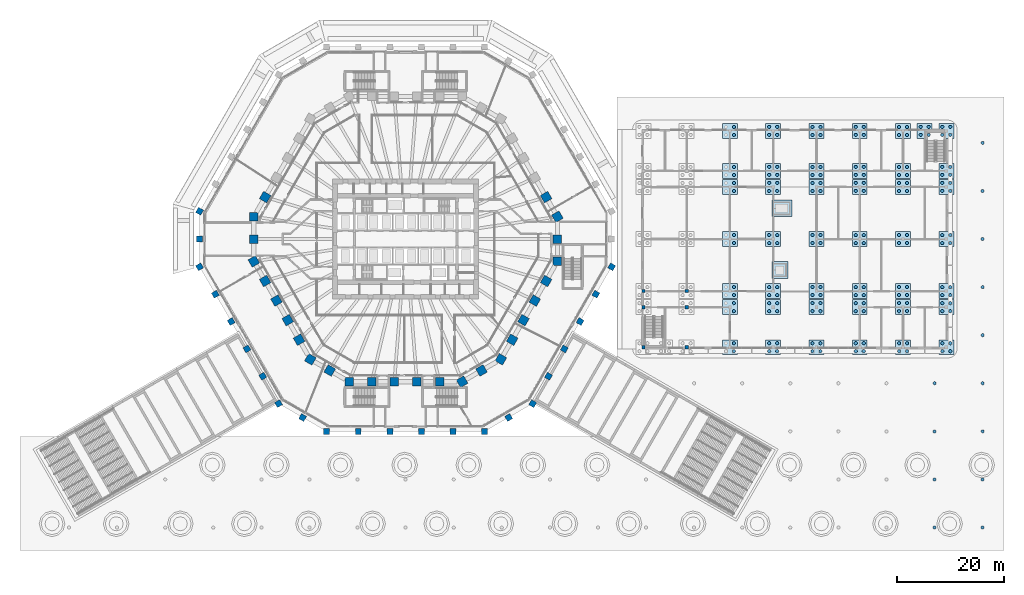
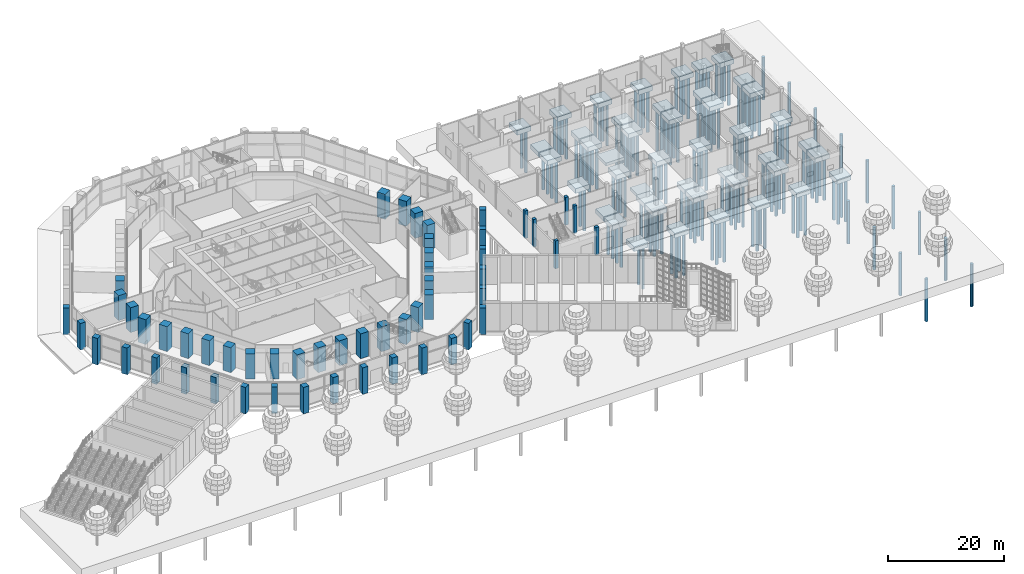
# One storey, part 2 of 44: 171 piles, 54 columns, 45 footings.
"""IFC4 building model written with IfcOpenShell, lengths in metres."""

import ifcopenshell
import ifcopenshell.guid

model = None  # the IFC model being written
_history = None  # IfcOwnerHistory: only IFC2X3 demands one
_inside = {}  # id of a spatial element -> (the spatial element, [elements in it])
_under = {}  # id of a project, library or spatial element -> (it, [spatial elements below it])
_declared = {}  # id of a project -> (the project, [libraries it declares])
_typed = {}  # id of a type object -> (the type object, [elements of that type])
_made_of = {}  # id of a material, layer set ... -> (it, [elements and type objects made of it])


def new_model(schema):
    """Start an empty IFC model of exactly this schema.

    Asked for "IFC4X3", IfcOpenShell would pick the latest addendum, in which some entities
    have other attributes; the version numbers below select the first issue.
    IFC2X3 requires an IfcOwnerHistory on every rooted entity: one is made here for all.
    """
    global model, _history
    if schema == "IFC4X3":
        model = ifcopenshell.file(schema_version=(4, 3, 0, 0))
    else:
        model = ifcopenshell.file(schema=schema)
    _inside.clear()
    _under.clear()
    _declared.clear()
    _typed.clear()
    _made_of.clear()
    _history = None
    if model.schema == "IFC2X3":
        org = make("IfcOrganization", Name="unknown")
        user = make(
            "IfcPersonAndOrganization",
            ThePerson=make("IfcPerson", FamilyName="unknown"),
            TheOrganization=org,
        )
        app = make(
            "IfcApplication",
            ApplicationDeveloper=org,
            Version="unknown",
            ApplicationFullName="unknown",
            ApplicationIdentifier="unknown",
        )
        _history = make(
            "IfcOwnerHistory",
            OwningUser=user,
            OwningApplication=app,
            ChangeAction="ADDED",
            CreationDate=0,
        )
    return model


def make(cls, **values):
    """One entity of the class cls with the attributes given. An attribute that is None is left unset."""
    return model.create_entity(
        cls, **{name: value for name, value in values.items() if value is not None}
    )


def rooted(cls, **values):
    """An entity with a GlobalId (a new one), such as an element, a storey or a relation."""
    return make(cls, GlobalId=ifcopenshell.guid.new(), OwnerHistory=_history, **values)


def si_unit(unit_type, name, prefix=None):
    """IfcSIUnit, for example si_unit("LENGTHUNIT", "METRE", prefix="MILLI")."""
    return make("IfcSIUnit", UnitType=unit_type, Prefix=prefix, Name=name)


def assignment(units):
    """IfcUnitAssignment: the units of a project."""
    return None if units is None else make("IfcUnitAssignment", Units=units)


def point(xyz):
    """IfcCartesianPoint."""
    return None if xyz is None else make("IfcCartesianPoint", Coordinates=xyz)


def direction(xyz):
    """IfcDirection."""
    return None if xyz is None else make("IfcDirection", DirectionRatios=xyz)


def frame(location, z_axis=None, x_axis=None):
    """IfcAxis2Placement3D, a coordinate frame: its origin and axes. An axis left out is left unset."""
    return make(
        "IfcAxis2Placement3D",
        Location=point(location),
        Axis=direction(z_axis),
        RefDirection=direction(x_axis),
    )


def frame_2d(location, x_axis=None):
    """IfcAxis2Placement2D, a coordinate frame in the plane: its origin and x axis."""
    return make(
        "IfcAxis2Placement2D", Location=point(location), RefDirection=direction(x_axis)
    )


def origin():
    """The frame at (0, 0, 0) with its axes left unset."""
    return frame((0.0, 0.0, 0.0))


def origin_2d():
    """The frame at (0, 0) in the plane with its x axis left unset."""
    return frame_2d((0.0, 0.0))


def place(relative_to, where):
    """IfcLocalPlacement: puts the frame where relative to a parent placement (None: the world)."""
    return make(
        "IfcLocalPlacement", PlacementRelTo=relative_to, RelativePlacement=where
    )


def context(
    kind, dimensions, precision=None, world=None, true_north=None, identifier=None
):
    """IfcGeometricRepresentationContext, for example the 3D "Model" context."""
    return make(
        "IfcGeometricRepresentationContext",
        ContextIdentifier=identifier,
        ContextType=kind,
        CoordinateSpaceDimension=dimensions,
        Precision=precision,
        WorldCoordinateSystem=world,
        TrueNorth=true_north,
    )


def subcontext(parent, identifier, kind, view, scale=None):
    """IfcGeometricRepresentationSubContext, for example "Body" below "Model"."""
    return make(
        "IfcGeometricRepresentationSubContext",
        ContextIdentifier=identifier,
        ContextType=kind,
        ParentContext=parent,
        TargetScale=scale,
        TargetView=view,
    )


def project(units=None, contexts=None):
    """IfcProject with its units and contexts."""
    return rooted(
        "IfcProject",
        Name="project",
        RepresentationContexts=contexts,
        UnitsInContext=assignment(units),
    )


def spatial(cls, under=None, at=None, **own):
    """A site, building, storey or space (cls), placed at a placement, below another one or the project."""
    s = rooted(cls, ObjectPlacement=at, **own)
    if under is not None:
        _under.setdefault(under.id(), (under, []))[1].append(s)
    return s


def profile(cls, at=None, kind="AREA", **sizes):
    """A parametric profile (cls). Its sizes go by their IFC names, for example OverallWidth=200.0."""
    return make(cls, ProfileType=kind, Position=at, **sizes)


def rectangle(**sizes):
    """IfcRectangleProfileDef."""
    return profile("IfcRectangleProfileDef", **sizes)


def circle(**sizes):
    """IfcCircleProfileDef."""
    return profile("IfcCircleProfileDef", **sizes)


def extrude(swept, where, along, depth):
    """IfcExtrudedAreaSolid: the profile swept, set in the frame where, extruded along a direction by depth."""
    return make(
        "IfcExtrudedAreaSolid",
        SweptArea=swept,
        Position=where,
        ExtrudedDirection=direction(along),
        Depth=depth,
    )


def shape(context_of_items, identifier, shape_type, items):
    """IfcShapeRepresentation: the items that make up one representation, for example the "Body"."""
    return make(
        "IfcShapeRepresentation",
        ContextOfItems=context_of_items,
        RepresentationIdentifier=identifier,
        RepresentationType=shape_type,
        Items=items,
    )


def material(Name=None, Category=None):
    """IfcMaterial."""
    return make("IfcMaterial", Name=Name, Category=Category)


def material_profile(
    of_material, cross_section, Name=None, Category=None, Priority=None
):
    """IfcMaterialProfile: a cross section and its material."""
    return make(
        "IfcMaterialProfile",
        Name=Name,
        Material=of_material,
        Profile=cross_section,
        Priority=Priority,
        Category=Category,
    )


def profile_set(profiles, Name=None, composite=None):
    """IfcMaterialProfileSet."""
    return make(
        "IfcMaterialProfileSet",
        Name=Name,
        MaterialProfiles=profiles,
        CompositeProfile=composite,
    )


def made_of(thing, what):
    """Note that an element or type object is made of a material, layer set ...; save() writes the relation."""
    if what is not None:
        _made_of.setdefault(what.id(), (what, []))[1].append(thing)
    return thing


def type_object(cls, material=None, **own):
    """A type object (cls), such as IfcWallType, which elements share."""
    return made_of(rooted(cls, **own), material)


def element(
    cls,
    number,
    at=None,
    inside=None,
    cuts=None,
    type_object=None,
    material=None,
    context=None,
    identifier="Body",
    shape_type=None,
    held_by="IfcProductDefinitionShape",
    body=None,
    shapes=None,
    **own,
):
    """One element of the class cls, such as IfcWall. Its Tag is "e" and its number.

    at: its placement. inside: the storey or other place that contains it. cuts: it is an
    opening in that element (IfcRelVoidsElement). A single representation is given by context,
    identifier, shape_type and body (its items); several are given by shapes. held_by: the class
    of the entity that holds the representations. save() writes the other relations.
    """
    e = rooted(cls, Tag="e%d" % number, ObjectPlacement=at, **own)
    if body is not None:
        shapes = [shape(context, identifier, shape_type, body)]
    if shapes is not None:
        e.Representation = make(held_by, Representations=shapes)
    if inside is not None:
        _inside.setdefault(inside.id(), (inside, []))[1].append(e)
    if cuts is not None:
        rooted(
            "IfcRelVoidsElement", RelatingBuildingElement=cuts, RelatedOpeningElement=e
        )
    if type_object is not None:
        _typed.setdefault(type_object.id(), (type_object, []))[1].append(e)
    return made_of(e, material)


def aggregate(whole, parts):
    """IfcRelAggregates: a whole, such as a stair, and the parts it consists of."""
    return rooted("IfcRelAggregates", RelatingObject=whole, RelatedObjects=parts)


def save(model, path):
    """Write the relations noted so far, then the file.

    IfcRelAggregates (storeys below a building ...), IfcRelContainedInSpatialStructure (elements
    in a storey), IfcRelDefinesByType, IfcRelAssociatesMaterial and IfcRelDeclares: one each for
    every whole, place, type object, material and project.
    """
    for whole, parts in _under.values():
        aggregate(whole, parts)
    for where, things in _inside.values():
        rooted(
            "IfcRelContainedInSpatialStructure",
            RelatedElements=things,
            RelatingStructure=where,
        )
    for kind, things in _typed.values():
        rooted("IfcRelDefinesByType", RelatedObjects=things, RelatingType=kind)
    for what, things in _made_of.values():
        rooted("IfcRelAssociatesMaterial", RelatedObjects=things, RelatingMaterial=what)
    for by, libraries in _declared.values():
        rooted("IfcRelDeclares", RelatingContext=by, RelatedDefinitions=libraries)
    model.write(path)


model = new_model("IFC4")

# Units and contexts
model_context = context("Model", 3, precision=1e-05, world=origin(), true_north=direction((0.0, 1.0)))
body_context = subcontext(model_context, "Body", "Model", "MODEL_VIEW")
ifc_project = project(units=[si_unit("LENGTHUNIT", "METRE"), si_unit("AREAUNIT", "SQUARE_METRE"), si_unit("VOLUMEUNIT", "CUBIC_METRE"), si_unit("PLANEANGLEUNIT", "RADIAN"), si_unit("MASSUNIT", "GRAM", prefix="KILO")], contexts=[model_context])

# Site, building, storey
site_placement = place(None, origin())
site = spatial("IfcSite", under=ifc_project, at=site_placement, CompositionType="ELEMENT")
building_placement = place(site_placement, origin())
building = spatial("IfcBuilding", under=site, at=building_placement, Name="Frailejon Research Tower", CompositionType="ELEMENT")
storey_placement = place(building_placement, origin())
storey = spatial("IfcBuildingStorey", under=building, at=storey_placement, Name="L00", CompositionType="ELEMENT", Elevation=0.0)

# Piles
ifc_material_1 = material(Name="Concrete C35/45", Category="concrete")
ifc_material_profile_1 = material_profile(ifc_material_1, circle(Radius=0.300048828125, at=origin_2d()), Name="Bored pile D600")
ifc_profile_set_1 = profile_set([ifc_material_profile_1], Name="Concrete C35/45")
pile_type = type_object("IfcPileType", Name="Bored pile D600", PredefinedType="BORED", material=ifc_profile_set_1)
for number, where, z_axis, x_axis, name in (
    (1, (61.449951171875, -21.0, -1.10009765625), (0.0, 0.0, -1.0), (1.0, 0.0, 0.0), "HC pile A3"),
    (2, (61.449951171875, -19.5, -1.10009765625), (0.0, 0.0, -1.0), (1.0, 0.0, 0.0), "HC pile A3"),
    (3, (68.050048828125, -21.0, -1.10009765625), (0.0, 0.0, -1.0), (1.0, 0.0, 0.0), "HC pile A4"),
    (4, (68.050048828125, -19.5, -1.10009765625), (0.0, 0.0, -1.0), (1.0, 0.0, 0.0), "HC pile A4"),
    (5, (69.550048828125, -21.0, -1.10009765625), (0.0, 0.0, -1.0), (1.0, 0.0, 0.0), "HC pile A4"),
    (6, (69.550048828125, -19.5, -1.10009765625), (0.0, 0.0, -1.0), (1.0, 0.0, 0.0), "HC pile A4"),
    (7, (76.14990234375, -21.0, -1.10009765625), (0.0, 0.0, -1.0), (1.0, 0.0, 0.0), "HC pile A5"),
    (8, (76.14990234375, -19.5, -1.10009765625), (0.0, 0.0, -1.0), (1.0, 0.0, 0.0), "HC pile A5"),
    (9, (77.64990234375, -21.0, -1.10009765625), (0.0, 0.0, -1.0), (1.0, 0.0, 0.0), "HC pile A5"),
    (10, (77.64990234375, -19.5, -1.10009765625), (0.0, 0.0, -1.0), (1.0, 0.0, 0.0), "HC pile A5"),
    (11, (84.25, -21.0, -1.10009765625), (0.0, 0.0, -1.0), (1.0, 0.0, 0.0), "HC pile A6"),
    (12, (84.25, -19.5, -1.10009765625), (0.0, 0.0, -1.0), (1.0, 0.0, 0.0), "HC pile A6"),
    (13, (85.75, -21.0, -1.10009765625), (0.0, 0.0, -1.0), (1.0, 0.0, 0.0), "HC pile A6"),
    (14, (85.75, -19.5, -1.10009765625), (0.0, 0.0, -1.0), (1.0, 0.0, 0.0), "HC pile A6"),
    (15, (92.35009765625, -21.0, -1.10009765625), (0.0, 0.0, -1.0), (1.0, 0.0, 0.0), "HC pile A7"),
    (16, (92.35009765625, -19.5, -1.10009765625), (0.0, 0.0, -1.0), (1.0, 0.0, 0.0), "HC pile A7"),
    (17, (93.85009765625, -21.0, -1.10009765625), (0.0, 0.0, -1.0), (1.0, 0.0, 0.0), "HC pile A7"),
    (18, (93.85009765625, -19.5, -1.10009765625), (0.0, 0.0, -1.0), (1.0, 0.0, 0.0), "HC pile A7"),
    (19, (100.449951171875, -21.0, -1.10009765625), (0.0, 0.0, -1.0), (1.0, 0.0, 0.0), "HC pile A8"),
    (20, (100.449951171875, -19.5, -1.10009765625), (0.0, 0.0, -1.0), (1.0, 0.0, 0.0), "HC pile A8"),
    (21, (101.949951171875, -21.0, -1.10009765625), (0.0, 0.0, -1.0), (1.0, 0.0, 0.0), "HC pile A8"),
    (22, (101.949951171875, -19.5, -1.10009765625), (0.0, 0.0, -1.0), (1.0, 0.0, 0.0), "HC pile A8"),
    (23, (61.449951171875, -13.5, -1.10009765625), (0.0, 0.0, -1.0), (1.0, 0.0, 0.0), "HC pile B3"),
    (24, (61.449951171875, -12.0, -1.10009765625), (0.0, 0.0, -1.0), (1.0, 0.0, 0.0), "HC pile B3"),
    (25, (68.050048828125, -13.5, -1.10009765625), (0.0, 0.0, -1.0), (1.0, 0.0, 0.0), "HC pile B4"),
    (26, (68.050048828125, -12.0, -1.10009765625), (0.0, 0.0, -1.0), (1.0, 0.0, 0.0), "HC pile B4"),
    (27, (69.550048828125, -13.5, -1.10009765625), (0.0, 0.0, -1.0), (1.0, 0.0, 0.0), "HC pile B4"),
    (28, (69.550048828125, -12.0, -1.10009765625), (0.0, 0.0, -1.0), (1.0, 0.0, 0.0), "HC pile B4"),
    (29, (76.14990234375, -13.5, -1.10009765625), (0.0, 0.0, -1.0), (1.0, 0.0, 0.0), "HC pile B5"),
    (30, (76.14990234375, -12.0, -1.10009765625), (0.0, 0.0, -1.0), (1.0, 0.0, 0.0), "HC pile B5"),
    (31, (77.64990234375, -13.5, -1.10009765625), (0.0, 0.0, -1.0), (1.0, 0.0, 0.0), "HC pile B5"),
    (32, (77.64990234375, -12.0, -1.10009765625), (0.0, 0.0, -1.0), (1.0, 0.0, 0.0), "HC pile B5"),
    (33, (84.25, -13.5, -1.10009765625), (0.0, 0.0, -1.0), (1.0, 0.0, 0.0), "HC pile B6"),
    (34, (84.25, -12.0, -1.10009765625), (0.0, 0.0, -1.0), (1.0, 0.0, 0.0), "HC pile B6"),
    (35, (85.75, -13.5, -1.10009765625), (0.0, 0.0, -1.0), (1.0, 0.0, 0.0), "HC pile B6"),
    (36, (85.75, -12.0, -1.10009765625), (0.0, 0.0, -1.0), (1.0, 0.0, 0.0), "HC pile B6"),
    (37, (92.35009765625, -13.5, -1.10009765625), (0.0, 0.0, -1.0), (1.0, 0.0, 0.0), "HC pile B7"),
    (38, (92.35009765625, -12.0, -1.10009765625), (0.0, 0.0, -1.0), (1.0, 0.0, 0.0), "HC pile B7"),
    (39, (93.85009765625, -13.5, -1.10009765625), (0.0, 0.0, -1.0), (1.0, 0.0, 0.0), "HC pile B7"),
    (40, (93.85009765625, -12.0, -1.10009765625), (0.0, 0.0, -1.0), (1.0, 0.0, 0.0), "HC pile B7"),
    (41, (100.449951171875, -13.5, -1.10009765625), (0.0, 0.0, -1.0), (1.0, 0.0, 0.0), "HC pile B8"),
    (42, (100.449951171875, -12.0, -1.10009765625), (0.0, 0.0, -1.0), (1.0, 0.0, 0.0), "HC pile B8"),
    (43, (101.949951171875, -13.5, -1.10009765625), (0.0, 0.0, -1.0), (1.0, 0.0, 0.0), "HC pile B8"),
    (44, (101.949951171875, -12.0, -1.10009765625), (0.0, 0.0, -1.0), (1.0, 0.0, 0.0), "HC pile B8"),
    (45, (61.449951171875, -10.5, -1.10009765625), (0.0, 0.0, -1.0), (1.0, 0.0, 0.0), "HC pile C3"),
    (46, (61.449951171875, -9.0, -1.10009765625), (0.0, 0.0, -1.0), (1.0, 0.0, 0.0), "HC pile C3"),
    (47, (68.050048828125, -10.5, -1.10009765625), (0.0, 0.0, -1.0), (1.0, 0.0, 0.0), "HC pile C4"),
    (48, (68.050048828125, -9.0, -1.10009765625), (0.0, 0.0, -1.0), (1.0, 0.0, 0.0), "HC pile C4"),
    (49, (69.550048828125, -10.5, -1.10009765625), (0.0, 0.0, -1.0), (1.0, 0.0, 0.0), "HC pile C4"),
    (50, (69.550048828125, -9.0, -1.10009765625), (0.0, 0.0, -1.0), (1.0, 0.0, 0.0), "HC pile C4"),
    (51, (76.14990234375, -10.5, -1.10009765625), (0.0, 0.0, -1.0), (1.0, 0.0, 0.0), "HC pile C5"),
    (52, (76.14990234375, -9.0, -1.10009765625), (0.0, 0.0, -1.0), (1.0, 0.0, 0.0), "HC pile C5"),
    (53, (77.64990234375, -10.5, -1.10009765625), (0.0, 0.0, -1.0), (1.0, 0.0, 0.0), "HC pile C5"),
    (54, (77.64990234375, -9.0, -1.10009765625), (0.0, 0.0, -1.0), (1.0, 0.0, 0.0), "HC pile C5"),
    (55, (84.25, -10.5, -1.10009765625), (0.0, 0.0, -1.0), (1.0, 0.0, 0.0), "HC pile C6"),
    (56, (84.25, -9.0, -1.10009765625), (0.0, 0.0, -1.0), (1.0, 0.0, 0.0), "HC pile C6"),
    (57, (85.75, -10.5, -1.10009765625), (0.0, 0.0, -1.0), (1.0, 0.0, 0.0), "HC pile C6"),
    (58, (85.75, -9.0, -1.10009765625), (0.0, 0.0, -1.0), (1.0, 0.0, 0.0), "HC pile C6"),
    (59, (92.35009765625, -10.5, -1.10009765625), (0.0, 0.0, -1.0), (1.0, 0.0, 0.0), "HC pile C7"),
    (60, (92.35009765625, -9.0, -1.10009765625), (0.0, 0.0, -1.0), (1.0, 0.0, 0.0), "HC pile C7"),
    (61, (93.85009765625, -10.5, -1.10009765625), (0.0, 0.0, -1.0), (1.0, 0.0, 0.0), "HC pile C7"),
    (62, (93.85009765625, -9.0, -1.10009765625), (0.0, 0.0, -1.0), (1.0, 0.0, 0.0), "HC pile C7"),
    (63, (100.449951171875, -10.5, -1.10009765625), (0.0, 0.0, -1.0), (1.0, 0.0, 0.0), "HC pile C8"),
    (64, (100.449951171875, -9.0, -1.10009765625), (0.0, 0.0, -1.0), (1.0, 0.0, 0.0), "HC pile C8"),
    (65, (101.949951171875, -10.5, -1.10009765625), (0.0, 0.0, -1.0), (1.0, 0.0, 0.0), "HC pile C8"),
    (66, (101.949951171875, -9.0, -1.10009765625), (0.0, 0.0, -1.0), (1.0, 0.0, 0.0), "HC pile C8"),
    (67, (61.449951171875, -0.75, -1.10009765625), (0.0, 0.0, -1.0), (1.0, 0.0, 0.0), "HC pile D3"),
    (68, (61.449951171875, 0.75, -1.10009765625), (0.0, 0.0, -1.0), (1.0, 0.0, 0.0), "HC pile D3"),
    (69, (68.050048828125, -0.75, -1.10009765625), (0.0, 0.0, -1.0), (1.0, 0.0, 0.0), "HC pile D4"),
    (70, (68.050048828125, 0.75, -1.10009765625), (0.0, 0.0, -1.0), (1.0, 0.0, 0.0), "HC pile D4"),
    (71, (69.550048828125, -0.75, -1.10009765625), (0.0, 0.0, -1.0), (1.0, 0.0, 0.0), "HC pile D4"),
    (72, (69.550048828125, 0.75, -1.10009765625), (0.0, 0.0, -1.0), (1.0, 0.0, 0.0), "HC pile D4"),
    (73, (76.14990234375, -0.75, -1.10009765625), (0.0, 0.0, -1.0), (1.0, 0.0, 0.0), "HC pile D5"),
    (74, (76.14990234375, 0.75, -1.10009765625), (0.0, 0.0, -1.0), (1.0, 0.0, 0.0), "HC pile D5"),
    (75, (77.64990234375, -0.75, -1.10009765625), (0.0, 0.0, -1.0), (1.0, 0.0, 0.0), "HC pile D5"),
    (76, (77.64990234375, 0.75, -1.10009765625), (0.0, 0.0, -1.0), (1.0, 0.0, 0.0), "HC pile D5"),
    (77, (84.25, -0.75, -1.10009765625), (0.0, 0.0, -1.0), (1.0, 0.0, 0.0), "HC pile D6"),
    (78, (84.25, 0.75, -1.10009765625), (0.0, 0.0, -1.0), (1.0, 0.0, 0.0), "HC pile D6"),
    (79, (85.75, -0.75, -1.10009765625), (0.0, 0.0, -1.0), (1.0, 0.0, 0.0), "HC pile D6"),
    (80, (85.75, 0.75, -1.10009765625), (0.0, 0.0, -1.0), (1.0, 0.0, 0.0), "HC pile D6"),
    (81, (92.35009765625, -0.75, -1.10009765625), (0.0, 0.0, -1.0), (1.0, 0.0, 0.0), "HC pile D7"),
    (82, (92.35009765625, 0.75, -1.10009765625), (0.0, 0.0, -1.0), (1.0, 0.0, 0.0), "HC pile D7"),
    (83, (93.85009765625, -0.75, -1.10009765625), (0.0, 0.0, -1.0), (1.0, 0.0, 0.0), "HC pile D7"),
    (84, (93.85009765625, 0.75, -1.10009765625), (0.0, 0.0, -1.0), (1.0, 0.0, 0.0), "HC pile D7"),
    (85, (100.449951171875, -0.75, -1.10009765625), (0.0, 0.0, -1.0), (1.0, 0.0, 0.0), "HC pile D8"),
    (86, (100.449951171875, 0.75, -1.10009765625), (0.0, 0.0, -1.0), (1.0, 0.0, 0.0), "HC pile D8"),
    (87, (101.949951171875, -0.75, -1.10009765625), (0.0, 0.0, -1.0), (1.0, 0.0, 0.0), "HC pile D8"),
    (88, (101.949951171875, 0.75, -1.10009765625), (0.0, 0.0, -1.0), (1.0, 0.0, 0.0), "HC pile D8"),
    (89, (61.449951171875, 9.0, -1.10009765625), (0.0, 0.0, -1.0), (1.0, 0.0, 0.0), "HC pile E3"),
    (90, (61.449951171875, 10.5, -1.10009765625), (0.0, 0.0, -1.0), (1.0, 0.0, 0.0), "HC pile E3"),
    (91, (68.050048828125, 9.0, -1.10009765625), (0.0, 0.0, -1.0), (1.0, 0.0, 0.0), "HC pile E4"),
    (92, (68.050048828125, 10.5, -1.10009765625), (0.0, 0.0, -1.0), (1.0, 0.0, 0.0), "HC pile E4"),
    (93, (69.550048828125, 9.0, -1.10009765625), (0.0, 0.0, -1.0), (1.0, 0.0, 0.0), "HC pile E4"),
    (94, (69.550048828125, 10.5, -1.10009765625), (0.0, 0.0, -1.0), (1.0, 0.0, 0.0), "HC pile E4"),
    (95, (76.14990234375, 9.0, -1.10009765625), (0.0, 0.0, -1.0), (1.0, 0.0, 0.0), "HC pile E5"),
    (96, (76.14990234375, 10.5, -1.10009765625), (0.0, 0.0, -1.0), (1.0, 0.0, 0.0), "HC pile E5"),
    (97, (77.64990234375, 9.0, -1.10009765625), (0.0, 0.0, -1.0), (1.0, 0.0, 0.0), "HC pile E5"),
    (98, (77.64990234375, 10.5, -1.10009765625), (0.0, 0.0, -1.0), (1.0, 0.0, 0.0), "HC pile E5"),
    (99, (84.25, 9.0, -1.10009765625), (0.0, 0.0, -1.0), (1.0, 0.0, 0.0), "HC pile E6"),
    (100, (84.25, 10.5, -1.10009765625), (0.0, 0.0, -1.0), (1.0, 0.0, 0.0), "HC pile E6"),
    (101, (85.75, 9.0, -1.10009765625), (0.0, 0.0, -1.0), (1.0, 0.0, 0.0), "HC pile E6"),
    (102, (85.75, 10.5, -1.10009765625), (0.0, 0.0, -1.0), (1.0, 0.0, 0.0), "HC pile E6"),
    (103, (92.35009765625, 9.0, -1.10009765625), (0.0, 0.0, -1.0), (1.0, 0.0, 0.0), "HC pile E7"),
    (104, (92.35009765625, 10.5, -1.10009765625), (0.0, 0.0, -1.0), (1.0, 0.0, 0.0), "HC pile E7"),
    (105, (93.85009765625, 9.0, -1.10009765625), (0.0, 0.0, -1.0), (1.0, 0.0, 0.0), "HC pile E7"),
    (106, (93.85009765625, 10.5, -1.10009765625), (0.0, 0.0, -1.0), (1.0, 0.0, 0.0), "HC pile E7"),
    (107, (100.449951171875, 9.0, -1.10009765625), (0.0, 0.0, -1.0), (1.0, 0.0, 0.0), "HC pile E8"),
    (108, (100.449951171875, 10.5, -1.10009765625), (0.0, 0.0, -1.0), (1.0, 0.0, 0.0), "HC pile E8"),
    (109, (101.949951171875, 9.0, -1.10009765625), (0.0, 0.0, -1.0), (1.0, 0.0, 0.0), "HC pile E8"),
    (110, (101.949951171875, 10.5, -1.10009765625), (0.0, 0.0, -1.0), (1.0, 0.0, 0.0), "HC pile E8"),
    (111, (61.449951171875, 12.0, -1.10009765625), (0.0, 0.0, -1.0), (1.0, 0.0, 0.0), "HC pile F3"),
    (112, (61.449951171875, 13.5, -1.10009765625), (0.0, 0.0, -1.0), (1.0, 0.0, 0.0), "HC pile F3"),
    (113, (68.050048828125, 12.0, -1.10009765625), (0.0, 0.0, -1.0), (1.0, 0.0, 0.0), "HC pile F4"),
    (114, (68.050048828125, 13.5, -1.10009765625), (0.0, 0.0, -1.0), (1.0, 0.0, 0.0), "HC pile F4"),
    (115, (69.550048828125, 12.0, -1.10009765625), (0.0, 0.0, -1.0), (1.0, 0.0, 0.0), "HC pile F4"),
    (116, (69.550048828125, 13.5, -1.10009765625), (0.0, 0.0, -1.0), (1.0, 0.0, 0.0), "HC pile F4"),
    (117, (76.14990234375, 12.0, -1.10009765625), (0.0, 0.0, -1.0), (1.0, 0.0, 0.0), "HC pile F5"),
    (118, (76.14990234375, 13.5, -1.10009765625), (0.0, 0.0, -1.0), (1.0, 0.0, 0.0), "HC pile F5"),
    (119, (77.64990234375, 12.0, -1.10009765625), (0.0, 0.0, -1.0), (1.0, 0.0, 0.0), "HC pile F5"),
    (120, (77.64990234375, 13.5, -1.10009765625), (0.0, 0.0, -1.0), (1.0, 0.0, 0.0), "HC pile F5"),
    (121, (84.25, 12.0, -1.10009765625), (0.0, 0.0, -1.0), (1.0, 0.0, 0.0), "HC pile F6"),
    (122, (84.25, 13.5, -1.10009765625), (0.0, 0.0, -1.0), (1.0, 0.0, 0.0), "HC pile F6"),
    (123, (85.75, 12.0, -1.10009765625), (0.0, 0.0, -1.0), (1.0, 0.0, 0.0), "HC pile F6"),
    (124, (85.75, 13.5, -1.10009765625), (0.0, 0.0, -1.0), (1.0, 0.0, 0.0), "HC pile F6"),
    (125, (92.35009765625, 12.0, -1.10009765625), (0.0, 0.0, -1.0), (1.0, 0.0, 0.0), "HC pile F7"),
    (126, (92.35009765625, 13.5, -1.10009765625), (0.0, 0.0, -1.0), (1.0, 0.0, 0.0), "HC pile F7"),
    (127, (93.85009765625, 12.0, -1.10009765625), (0.0, 0.0, -1.0), (1.0, 0.0, 0.0), "HC pile F7"),
    (128, (93.85009765625, 13.5, -1.10009765625), (0.0, 0.0, -1.0), (1.0, 0.0, 0.0), "HC pile F7"),
    (129, (100.449951171875, 12.0, -1.10009765625), (0.0, 0.0, -1.0), (1.0, 0.0, 0.0), "HC pile F8"),
    (130, (100.449951171875, 13.5, -1.10009765625), (0.0, 0.0, -1.0), (1.0, 0.0, 0.0), "HC pile F8"),
    (131, (101.949951171875, 12.0, -1.10009765625), (0.0, 0.0, -1.0), (1.0, 0.0, 0.0), "HC pile F8"),
    (132, (101.949951171875, 13.5, -1.10009765625), (0.0, 0.0, -1.0), (1.0, 0.0, 0.0), "HC pile F8"),
    (133, (61.449951171875, 19.5, -1.10009765625), (0.0, 0.0, -1.0), (1.0, 0.0, 0.0), "HC pile G3"),
    (134, (61.449951171875, 21.0, -1.10009765625), (0.0, 0.0, -1.0), (1.0, 0.0, 0.0), "HC pile G3"),
    (135, (68.050048828125, 19.5, -1.10009765625), (0.0, 0.0, -1.0), (1.0, 0.0, 0.0), "HC pile G4"),
    (136, (68.050048828125, 21.0, -1.10009765625), (0.0, 0.0, -1.0), (1.0, 0.0, 0.0), "HC pile G4"),
    (137, (69.550048828125, 19.5, -1.10009765625), (0.0, 0.0, -1.0), (1.0, 0.0, 0.0), "HC pile G4"),
    (138, (69.550048828125, 21.0, -1.10009765625), (0.0, 0.0, -1.0), (1.0, 0.0, 0.0), "HC pile G4"),
    (139, (76.14990234375, 19.5, -1.10009765625), (0.0, 0.0, -1.0), (1.0, 0.0, 0.0), "HC pile G5"),
    (140, (76.14990234375, 21.0, -1.10009765625), (0.0, 0.0, -1.0), (1.0, 0.0, 0.0), "HC pile G5"),
    (141, (77.64990234375, 19.5, -1.10009765625), (0.0, 0.0, -1.0), (1.0, 0.0, 0.0), "HC pile G5"),
    (142, (77.64990234375, 21.0, -1.10009765625), (0.0, 0.0, -1.0), (1.0, 0.0, 0.0), "HC pile G5"),
    (143, (84.25, 19.5, -1.10009765625), (0.0, 0.0, -1.0), (1.0, 0.0, 0.0), "HC pile G6"),
    (144, (84.25, 21.0, -1.10009765625), (0.0, 0.0, -1.0), (1.0, 0.0, 0.0), "HC pile G6"),
    (145, (85.75, 19.5, -1.10009765625), (0.0, 0.0, -1.0), (1.0, 0.0, 0.0), "HC pile G6"),
    (146, (85.75, 21.0, -1.10009765625), (0.0, 0.0, -1.0), (1.0, 0.0, 0.0), "HC pile G6"),
    (147, (92.35009765625, 19.5, -1.10009765625), (0.0, 0.0, -1.0), (1.0, 0.0, 0.0), "HC pile G7"),
    (148, (92.35009765625, 21.0, -1.10009765625), (0.0, 0.0, -1.0), (1.0, 0.0, 0.0), "HC pile G7"),
    (149, (93.85009765625, 19.5, -1.10009765625), (0.0, 0.0, -1.0), (1.0, 0.0, 0.0), "HC pile G7"),
    (150, (93.85009765625, 21.0, -1.10009765625), (0.0, 0.0, -1.0), (1.0, 0.0, 0.0), "HC pile G7"),
    (151, (100.449951171875, 19.5, -1.10009765625), (0.0, 0.0, -1.0), (1.0, 0.0, 0.0), "HC pile G8"),
    (152, (100.449951171875, 21.0, -1.10009765625), (0.0, 0.0, -1.0), (1.0, 0.0, 0.0), "HC pile G8"),
    (153, (101.949951171875, 19.5, -1.10009765625), (0.0, 0.0, -1.0), (1.0, 0.0, 0.0), "HC pile G8"),
    (154, (101.949951171875, 21.0, -1.10009765625), (0.0, 0.0, -1.0), (1.0, 0.0, 0.0), "HC pile G8"),
    (155, (96.39990234375, 19.5, -1.10009765625), (0.0, 0.0, -1.0), (1.0, 0.0, 0.0), "HC pile SB"),
    (156, (96.39990234375, 21.0, -1.10009765625), (0.0, 0.0, -1.0), (1.0, 0.0, 0.0), "HC pile SB"),
    (157, (97.89990234375, 19.5, -1.10009765625), (0.0, 0.0, -1.0), (1.0, 0.0, 0.0), "HC pile SB"),
    (158, (97.89990234375, 21.0, -1.10009765625), (0.0, 0.0, -1.0), (1.0, 0.0, 0.0), "HC pile SB"),
    (159, (99.0, -54.0, -1.10009765625), (0.0, 0.0, -1.0), (1.0, 0.0, 0.0), "Plaza raft pile"),
    (160, (99.0, -45.0, -1.10009765625), (0.0, 0.0, -1.0), (1.0, 0.0, 0.0), "Plaza raft pile"),
    (161, (99.0, -36.0, -1.10009765625), (0.0, 0.0, -1.0), (1.0, 0.0, 0.0), "Plaza raft pile"),
    (162, (99.0, -27.0, -1.10009765625), (0.0, 0.0, -1.0), (1.0, 0.0, 0.0), "Plaza raft pile"),
    (163, (108.0, -54.0, -1.10009765625), (0.0, 0.0, -1.0), (1.0, 0.0, 0.0), "Plaza raft pile"),
    (164, (108.0, -45.0, -1.10009765625), (0.0, 0.0, -1.0), (1.0, 0.0, 0.0), "Plaza raft pile"),
    (165, (108.0, -36.0, -1.10009765625), (0.0, 0.0, -1.0), (1.0, 0.0, 0.0), "Plaza raft pile"),
    (166, (108.0, -27.0, -1.10009765625), (0.0, 0.0, -1.0), (1.0, 0.0, 0.0), "Plaza raft pile"),
    (167, (108.0, -18.0, -1.10009765625), (0.0, 0.0, -1.0), (1.0, 0.0, 0.0), "Plaza raft pile"),
    (168, (108.0, -9.0, -1.10009765625), (0.0, 0.0, -1.0), (1.0, 0.0, 0.0), "Plaza raft pile"),
    (169, (108.0, 0.0, -1.10009765625), (0.0, 0.0, -1.0), (1.0, 0.0, 0.0), "Plaza raft pile"),
    (170, (108.0, 9.0, -1.10009765625), (0.0, 0.0, -1.0), (1.0, 0.0, 0.0), "Plaza raft pile"),
    (171, (108.0, 18.0, -1.10009765625), (0.0, 0.0, -1.0), (1.0, 0.0, 0.0), "Plaza raft pile"),
):
    element("IfcPile", number, at=place(storey_placement, frame(where, z_axis=z_axis, x_axis=x_axis)), inside=storey, type_object=pile_type, Name=name, PredefinedType="BORED", context=body_context, shape_type="SweptSolid", body=[
        extrude(circle(Radius=0.300048828125, at=origin_2d()), origin(), (0.0, 0.0, 1.0), 9.0),
    ])

# Footings
ifc_material_2 = material(Name="Concrete C35/45", Category="concrete")
footing_type_1 = type_object("IfcFootingType", Name="HC lift pit raft 600", PredefinedType="PAD_FOOTING", material=ifc_material_2)
footing_1_placement = place(storey_placement, frame((70.10009765625, -5.800048828125, -2.10009765625), z_axis=(0.0, 0.0, 1.0), x_axis=(1.0, 0.0, 0.0)))
element("IfcFooting", 172, at=footing_1_placement, inside=storey, type_object=footing_type_1, Name="HC lift P pit raft", PredefinedType="PAD_FOOTING", context=body_context, shape_type="SweptSolid", body=[
    extrude(rectangle(XDim=3.0, YDim=3.199951171875, at=origin_2d()), origin(), (0.0, 0.0, 1.0), 0.60009765625),
])
footing_2_placement = place(storey_placement, frame((70.449951171875, 5.75, -2.10009765625), z_axis=(0.0, 0.0, 1.0), x_axis=(1.0, 0.0, 0.0)))
element("IfcFooting", 173, at=footing_2_placement, inside=storey, type_object=footing_type_1, Name="HC lift B pit raft", PredefinedType="PAD_FOOTING", context=body_context, shape_type="SweptSolid", body=[
    extrude(rectangle(XDim=3.699951171875, YDim=3.10009765625, at=origin_2d()), origin(), (0.0, 0.0, 1.0), 0.60009765625),
])
ifc_material_3 = material(Name="Concrete C35/45", Category="concrete")
footing_type_2 = type_object("IfcFootingType", Name="HC pile cap 2800x2800x1000", PredefinedType="PILE_CAP", material=ifc_material_3)
for number, where, z_axis, x_axis, name in (
    (174, (60.699951171875, -20.25, -1.25), (0.0, 0.0, 1.0), (1.0, 0.0, 0.0), "HC pile cap A3"),
    (175, (68.800048828125, -20.25, -1.25), (0.0, 0.0, 1.0), (1.0, 0.0, 0.0), "HC pile cap A4"),
    (176, (76.89990234375, -20.25, -1.25), (0.0, 0.0, 1.0), (1.0, 0.0, 0.0), "HC pile cap A5"),
    (177, (85.0, -20.25, -1.25), (0.0, 0.0, 1.0), (1.0, 0.0, 0.0), "HC pile cap A6"),
    (178, (93.10009765625, -20.25, -1.25), (0.0, 0.0, 1.0), (1.0, 0.0, 0.0), "HC pile cap A7"),
    (179, (101.199951171875, -20.25, -1.25), (0.0, 0.0, 1.0), (1.0, 0.0, 0.0), "HC pile cap A8"),
    (180, (60.699951171875, -12.75, -1.25), (0.0, 0.0, 1.0), (1.0, 0.0, 0.0), "HC pile cap B3"),
    (181, (68.800048828125, -12.75, -1.25), (0.0, 0.0, 1.0), (1.0, 0.0, 0.0), "HC pile cap B4"),
    (182, (76.89990234375, -12.75, -1.25), (0.0, 0.0, 1.0), (1.0, 0.0, 0.0), "HC pile cap B5"),
    (183, (85.0, -12.75, -1.25), (0.0, 0.0, 1.0), (1.0, 0.0, 0.0), "HC pile cap B6"),
    (184, (93.10009765625, -12.75, -1.25), (0.0, 0.0, 1.0), (1.0, 0.0, 0.0), "HC pile cap B7"),
    (185, (101.199951171875, -12.75, -1.25), (0.0, 0.0, 1.0), (1.0, 0.0, 0.0), "HC pile cap B8"),
    (186, (60.699951171875, -9.75, -1.25), (0.0, 0.0, 1.0), (1.0, 0.0, 0.0), "HC pile cap C3"),
    (187, (68.800048828125, -9.75, -1.25), (0.0, 0.0, 1.0), (1.0, 0.0, 0.0), "HC pile cap C4"),
    (188, (76.89990234375, -9.75, -1.25), (0.0, 0.0, 1.0), (1.0, 0.0, 0.0), "HC pile cap C5"),
    (189, (85.0, -9.75, -1.25), (0.0, 0.0, 1.0), (1.0, 0.0, 0.0), "HC pile cap C6"),
    (190, (93.10009765625, -9.75, -1.25), (0.0, 0.0, 1.0), (1.0, 0.0, 0.0), "HC pile cap C7"),
    (191, (101.199951171875, -9.75, -1.25), (0.0, 0.0, 1.0), (1.0, 0.0, 0.0), "HC pile cap C8"),
    (192, (60.699951171875, 0.0, -1.25), (0.0, 0.0, 1.0), (1.0, 0.0, 0.0), "HC pile cap D3"),
    (193, (68.800048828125, 0.0, -1.25), (0.0, 0.0, 1.0), (1.0, 0.0, 0.0), "HC pile cap D4"),
    (194, (76.89990234375, 0.0, -1.25), (0.0, 0.0, 1.0), (1.0, 0.0, 0.0), "HC pile cap D5"),
    (195, (85.0, 0.0, -1.25), (0.0, 0.0, 1.0), (1.0, 0.0, 0.0), "HC pile cap D6"),
    (196, (93.10009765625, 0.0, -1.25), (0.0, 0.0, 1.0), (1.0, 0.0, 0.0), "HC pile cap D7"),
    (197, (101.199951171875, 0.0, -1.25), (0.0, 0.0, 1.0), (1.0, 0.0, 0.0), "HC pile cap D8"),
    (198, (60.699951171875, 9.75, -1.25), (0.0, 0.0, 1.0), (1.0, 0.0, 0.0), "HC pile cap E3"),
    (199, (68.800048828125, 9.75, -1.25), (0.0, 0.0, 1.0), (1.0, 0.0, 0.0), "HC pile cap E4"),
    (200, (76.89990234375, 9.75, -1.25), (0.0, 0.0, 1.0), (1.0, 0.0, 0.0), "HC pile cap E5"),
    (201, (85.0, 9.75, -1.25), (0.0, 0.0, 1.0), (1.0, 0.0, 0.0), "HC pile cap E6"),
    (202, (93.10009765625, 9.75, -1.25), (0.0, 0.0, 1.0), (1.0, 0.0, 0.0), "HC pile cap E7"),
    (203, (101.199951171875, 9.75, -1.25), (0.0, 0.0, 1.0), (1.0, 0.0, 0.0), "HC pile cap E8"),
    (204, (60.699951171875, 12.75, -1.25), (0.0, 0.0, 1.0), (1.0, 0.0, 0.0), "HC pile cap F3"),
    (205, (68.800048828125, 12.75, -1.25), (0.0, 0.0, 1.0), (1.0, 0.0, 0.0), "HC pile cap F4"),
    (206, (76.89990234375, 12.75, -1.25), (0.0, 0.0, 1.0), (1.0, 0.0, 0.0), "HC pile cap F5"),
    (207, (85.0, 12.75, -1.25), (0.0, 0.0, 1.0), (1.0, 0.0, 0.0), "HC pile cap F6"),
    (208, (93.10009765625, 12.75, -1.25), (0.0, 0.0, 1.0), (1.0, 0.0, 0.0), "HC pile cap F7"),
    (209, (101.199951171875, 12.75, -1.25), (0.0, 0.0, 1.0), (1.0, 0.0, 0.0), "HC pile cap F8"),
    (210, (60.699951171875, 20.25, -1.25), (0.0, 0.0, 1.0), (1.0, 0.0, 0.0), "HC pile cap G3"),
    (211, (68.800048828125, 20.25, -1.25), (0.0, 0.0, 1.0), (1.0, 0.0, 0.0), "HC pile cap G4"),
    (212, (76.89990234375, 20.25, -1.25), (0.0, 0.0, 1.0), (1.0, 0.0, 0.0), "HC pile cap G5"),
    (213, (85.0, 20.25, -1.25), (0.0, 0.0, 1.0), (1.0, 0.0, 0.0), "HC pile cap G6"),
    (214, (93.10009765625, 20.25, -1.25), (0.0, 0.0, 1.0), (1.0, 0.0, 0.0), "HC pile cap G7"),
    (215, (101.199951171875, 20.25, -1.25), (0.0, 0.0, 1.0), (1.0, 0.0, 0.0), "HC pile cap G8"),
    (216, (97.14990234375, 20.25, -1.25), (0.0, 0.0, 1.0), (1.0, 0.0, 0.0), "HC stair pile cap SB"),
):
    element("IfcFooting", number, at=place(storey_placement, frame(where, z_axis=z_axis, x_axis=x_axis)), inside=storey, type_object=footing_type_2, Name=name, PredefinedType="PILE_CAP", context=body_context, shape_type="SweptSolid", body=[
        extrude(rectangle(XDim=2.800048828125, YDim=2.800048828125, at=origin_2d()), origin(), (0.0, 0.0, 1.0), 1.0),
    ])

# Columns
ifc_material_4 = material(Name="Concrete C70/85", Category="concrete")
ifc_material_profile_2 = material_profile(ifc_material_4, rectangle(XDim=1.60009765625, YDim=1.60009765625, at=origin_2d()), Name="Column 1600")
ifc_profile_set_2 = profile_set([ifc_material_profile_2], Name="Concrete C70/85")
column_type_1 = type_object("IfcColumnType", Name="Column 1600", PredefinedType="COLUMN", material=ifc_profile_set_2)
for number, where, z_axis, x_axis, name in (
    (217, (28.412841796875, -4.1875, 0.0), (0.0, 0.0, 1.0), (0.0, 1.0, 0.0), "Column C01"),
    (218, (28.412841796875, 0.0, 0.0), (0.0, 0.0, 1.0), (0.0, 1.0, 0.0), "Column C02"),
    (219, (28.412841796875, 4.1875, 0.0), (0.0, 0.0, 1.0), (-0.5, 0.866025403784, 0.0), "Column C03"),
    (220, (26.296875, 7.8525390625, 0.0), (0.0, 0.0, 1.0), (-0.5, 0.866025403784, 0.0), "Column C04"),
    (221, (-26.296875, 7.8525390625, 0.0), (0.0, 0.0, 1.0), (-0.5, -0.866025403784, 0.0), "Column C21"),
    (222, (-28.412841796875, 4.1875, 0.0), (0.0, 0.0, 1.0), (0.0, -1.0, 0.0), "Column C22"),
    (223, (-28.412841796875, 0.0, 0.0), (0.0, 0.0, 1.0), (0.0, -1.0, 0.0), "Column C23"),
    (224, (-28.412841796875, -4.1875, 0.0), (0.0, 0.0, 1.0), (0.5, -0.866025403784, 0.0), "Column C24"),
    (225, (-26.296875, -7.8525390625, 0.0), (0.0, 0.0, 1.0), (0.5, -0.866025403784, 0.0), "Column C25"),
    (226, (-24.180908203125, -11.517578125, 0.0), (0.0, 0.0, 1.0), (0.5, -0.866025403784, 0.0), "Column C26"),
    (227, (-22.06494140625, -15.1826171875, 0.0), (0.0, 0.0, 1.0), (0.5, -0.866025403784, 0.0), "Column C27"),
    (228, (-19.948974609375, -18.847412109375, 0.0), (0.0, 0.0, 1.0), (0.5, -0.866025403784, 0.0), "Column C28"),
    (229, (-17.8330078125, -22.512451171875, 0.0), (0.0, 0.0, 1.0), (0.866025403784, -0.5, 0.0), "Column C29"),
    (230, (-14.206298828125, -24.606201171875, 0.0), (0.0, 0.0, 1.0), (0.866025403784, -0.5, 0.0), "Column C30"),
    (231, (-10.579833984375, -26.699951171875, 0.0), (0.0, 0.0, 1.0), (1.0, 0.0, 0.0), "Column C31"),
    (232, (-6.347900390625, -26.699951171875, 0.0), (0.0, 0.0, 1.0), (1.0, 0.0, 0.0), "Column C32"),
    (233, (-2.115966796875, -26.699951171875, 0.0), (0.0, 0.0, 1.0), (1.0, 0.0, 0.0), "Column C33"),
    (234, (2.115966796875, -26.699951171875, 0.0), (0.0, 0.0, 1.0), (1.0, 0.0, 0.0), "Column C34"),
    (235, (6.347900390625, -26.699951171875, 0.0), (0.0, 0.0, 1.0), (1.0, 0.0, 0.0), "Column C35"),
    (236, (10.579833984375, -26.699951171875, 0.0), (0.0, 0.0, 1.0), (0.866025403784, 0.5, 0.0), "Column C36"),
    (237, (14.206298828125, -24.606201171875, 0.0), (0.0, 0.0, 1.0), (0.866025403784, 0.5, 0.0), "Column C37"),
    (238, (17.8330078125, -22.512451171875, 0.0), (0.0, 0.0, 1.0), (0.5, 0.866025403784, 0.0), "Column C38"),
    (239, (19.948974609375, -18.847412109375, 0.0), (0.0, 0.0, 1.0), (0.5, 0.866025403784, 0.0), "Column C39"),
    (240, (22.06494140625, -15.1826171875, 0.0), (0.0, 0.0, 1.0), (0.5, 0.866025403784, 0.0), "Column C40"),
    (241, (24.180908203125, -11.517578125, 0.0), (0.0, 0.0, 1.0), (0.5, 0.866025403784, 0.0), "Column C41"),
    (242, (26.296875, -7.8525390625, 0.0), (0.0, 0.0, 1.0), (0.5, 0.866025403784, 0.0), "Column C42"),
):
    element("IfcColumn", number, at=place(storey_placement, frame(where, z_axis=z_axis, x_axis=x_axis)), inside=storey, type_object=column_type_1, Name=name, PredefinedType="COLUMN", context=body_context, shape_type="SweptSolid", body=[
        extrude(rectangle(XDim=1.60009765625, YDim=1.60009765625, at=origin_2d()), origin(), (0.0, 0.0, 1.0), 5.25),
    ])
ifc_material_5 = material(Name="Concrete C60/75", Category="concrete")
ifc_material_profile_3 = material_profile(ifc_material_5, rectangle(XDim=1.10009765625, YDim=1.10009765625, at=origin_2d()), Name="Column base ring 1100")
ifc_profile_set_3 = profile_set([ifc_material_profile_3], Name="Concrete C60/75")
column_type_2 = type_object("IfcColumnType", Name="Column base ring 1100", PredefinedType="COLUMN", material=ifc_profile_set_3)
for number, where, z_axis, x_axis, name in (
    (243, (38.569091796875, -5.1962890625, -0.35009765625), (0.0, 0.0, 1.0), (0.5, 0.866025403784, 0.0), "Column B01"),
    (244, (-38.569091796875, 5.1962890625, -0.35009765625), (0.0, 0.0, 1.0), (-0.5, -0.866025403784, 0.0), "Column B22"),
    (245, (-38.569091796875, 0.0, -0.35009765625), (0.0, 0.0, 1.0), (0.0, -1.0, 0.0), "Column B23"),
    (246, (-38.569091796875, -5.1962890625, -0.35009765625), (0.0, 0.0, 1.0), (0.5, -0.866025403784, 0.0), "Column B24"),
    (247, (-35.6123046875, -10.317626953125, -0.35009765625), (0.0, 0.0, 1.0), (0.5, -0.866025403784, 0.0), "Column B25"),
    (248, (-32.655517578125, -15.439208984375, -0.35009765625), (0.0, 0.0, 1.0), (0.5, -0.866025403784, 0.0), "Column B26"),
    (249, (-29.698486328125, -20.560791015625, -0.35009765625), (0.0, 0.0, 1.0), (0.5, -0.866025403784, 0.0), "Column B27"),
    (250, (-26.741455078125, -25.682373046875, -0.35009765625), (0.0, 0.0, 1.0), (0.5, -0.866025403784, 0.0), "Column B28"),
    (251, (-23.78466796875, -30.8037109375, -0.35009765625), (0.0, 0.0, 1.0), (0.5, -0.866025403784, 0.0), "Column B29"),
    (252, (-19.28466796875, -33.40185546875, -0.35009765625), (0.0, 0.0, 1.0), (0.866025403784, -0.5, 0.0), "Column B30"),
    (253, (-14.78466796875, -36.0, -0.35009765625), (0.0, 0.0, 1.0), (1.0, 0.0, 0.0), "Column B31"),
    (254, (-8.870849609375, -36.0, -0.35009765625), (0.0, 0.0, 1.0), (1.0, 0.0, 0.0), "Column B32"),
    (255, (-2.956787109375, -36.0, -0.35009765625), (0.0, 0.0, 1.0), (1.0, 0.0, 0.0), "Column B33"),
    (256, (2.956787109375, -36.0, -0.35009765625), (0.0, 0.0, 1.0), (1.0, 0.0, 0.0), "Column B34"),
    (257, (8.870849609375, -36.0, -0.35009765625), (0.0, 0.0, 1.0), (1.0, 0.0, 0.0), "Column B35"),
    (258, (14.78466796875, -36.0, -0.35009765625), (0.0, 0.0, 1.0), (1.0, 0.0, 0.0), "Column B36"),
    (259, (19.28466796875, -33.40185546875, -0.35009765625), (0.0, 0.0, 1.0), (0.866025403784, 0.5, 0.0), "Column B37"),
    (260, (23.78466796875, -30.8037109375, -0.35009765625), (0.0, 0.0, 1.0), (0.5, 0.866025403784, 0.0), "Column B38"),
    (261, (26.741455078125, -25.682373046875, -0.35009765625), (0.0, 0.0, 1.0), (0.5, 0.866025403784, 0.0), "Column B39"),
    (262, (29.698486328125, -20.560791015625, -0.35009765625), (0.0, 0.0, 1.0), (0.5, 0.866025403784, 0.0), "Column B40"),
    (263, (32.655517578125, -15.439208984375, -0.35009765625), (0.0, 0.0, 1.0), (0.5, 0.866025403784, 0.0), "Column B41"),
    (264, (35.6123046875, -10.317626953125, -0.35009765625), (0.0, 0.0, 1.0), (0.5, 0.866025403784, 0.0), "Column B42"),
):
    element("IfcColumn", number, at=place(storey_placement, frame(where, z_axis=z_axis, x_axis=x_axis)), inside=storey, type_object=column_type_2, Name=name, PredefinedType="COLUMN", context=body_context, shape_type="SweptSolid", body=[
        extrude(rectangle(XDim=1.10009765625, YDim=1.10009765625, at=origin_2d()), origin(), (0.0, 0.0, 1.0), 5.60009765625),
    ])
ifc_material_6 = material(Name="Concrete C35/45", Category="concrete")
ifc_material_profile_4 = material_profile(ifc_material_6, rectangle(XDim=0.60009765625, YDim=0.60009765625, at=origin_2d()), Name="HC column 600x600")
ifc_profile_set_4 = profile_set([ifc_material_profile_4], Name="Concrete C35/45")
column_type_3 = type_object("IfcColumnType", Name="HC column 600x600", PredefinedType="COLUMN", material=ifc_profile_set_4)
for number, where, z_axis, x_axis, name in (
    (265, (44.5, -20.25, -0.25), (0.0, 0.0, 1.0), (1.0, 0.0, 0.0), "HC column A1 L00"),
    (266, (52.60009765625, -20.25, -0.25), (0.0, 0.0, 1.0), (1.0, 0.0, 0.0), "HC column A2 L00"),
    (267, (44.5, -12.75, -0.25), (0.0, 0.0, 1.0), (1.0, 0.0, 0.0), "HC column B1 L00"),
    (268, (52.60009765625, -12.75, -0.25), (0.0, 0.0, 1.0), (1.0, 0.0, 0.0), "HC column B2 L00"),
    (269, (44.5, -9.75, -0.25), (0.0, 0.0, 1.0), (1.0, 0.0, 0.0), "HC column C1 L00"),
    (270, (52.60009765625, -9.75, -0.25), (0.0, 0.0, 1.0), (1.0, 0.0, 0.0), "HC column C2 L00"),
):
    element("IfcColumn", number, at=place(storey_placement, frame(where, z_axis=z_axis, x_axis=x_axis)), inside=storey, type_object=column_type_3, Name=name, PredefinedType="COLUMN", context=body_context, shape_type="SweptSolid", body=[
        extrude(rectangle(XDim=0.60009765625, YDim=0.60009765625, at=origin_2d()), origin(), (0.0, 0.0, 1.0), 5.85009765625),
    ])

save(model, "model.ifc")
